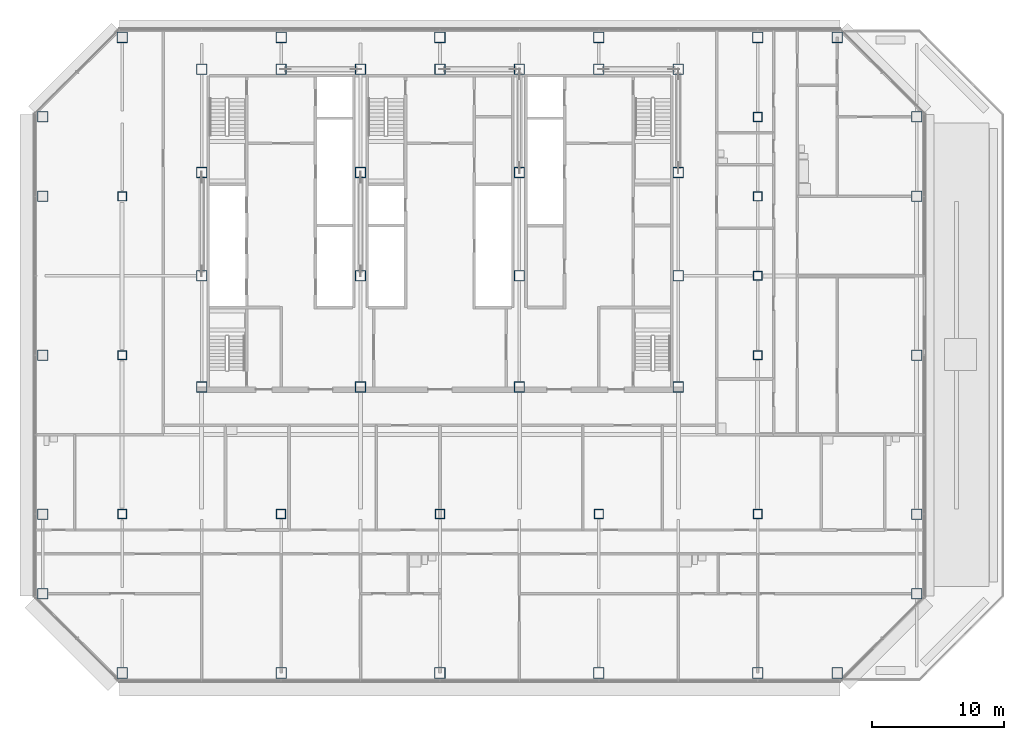
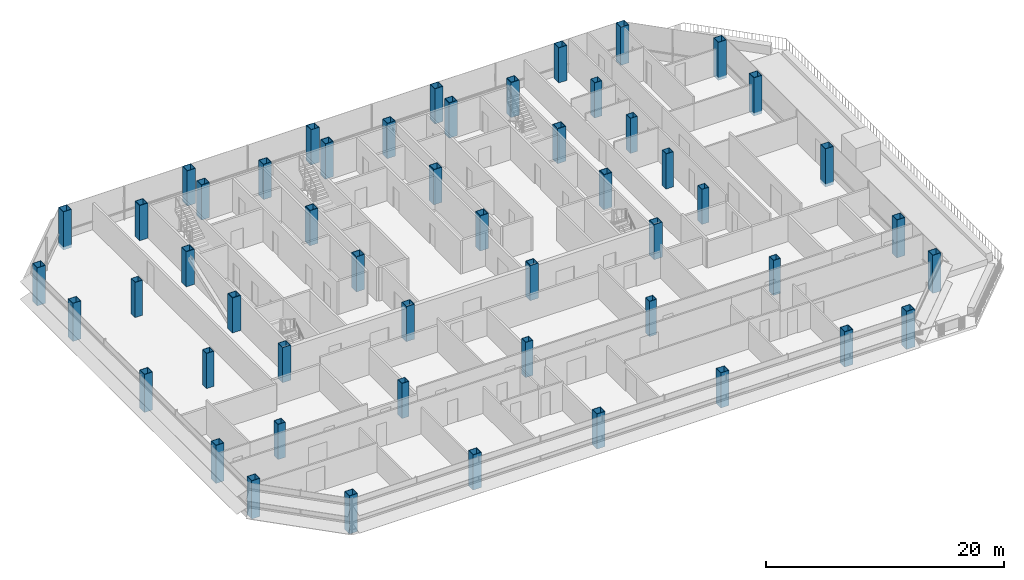
# One storey, part 1 of 28: 52 columns.
"""IFC4 building model written with IfcOpenShell, lengths in metres."""

from ifc_helpers import new_model, si_unit, direction, frame, origin, origin_2d, place, context, subcontext, project, spatial, hollow_rectangle, extrude, material, material_profile, profile_set, type_object, element, save


model = new_model("IFC4")

# Units and contexts
model_context = context("Model", 3, precision=1e-05, world=origin(), true_north=direction((0.0, 1.0)))
body_context = subcontext(model_context, "Body", "Model", "MODEL_VIEW")
ifc_project = project(units=[si_unit("LENGTHUNIT", "METRE"), si_unit("AREAUNIT", "SQUARE_METRE"), si_unit("VOLUMEUNIT", "CUBIC_METRE"), si_unit("PLANEANGLEUNIT", "RADIAN"), si_unit("MASSUNIT", "GRAM", prefix="KILO")], contexts=[model_context])

# Site, building, storey
site_placement = place(None, origin())
site = spatial("IfcSite", under=ifc_project, at=site_placement, CompositionType="ELEMENT")
building_placement = place(site_placement, origin())
building = spatial("IfcBuilding", under=site, at=building_placement, Name="Sorahane Residences", CompositionType="ELEMENT")
storey_placement = place(building_placement, frame((0.0, 0.0, 96.199951171875)))
storey = spatial("IfcBuildingStorey", under=building, at=storey_placement, Name="L20", CompositionType="ELEMENT", Elevation=96.199951171875)

# Columns
ifc_material_1 = material(Name="Steel Q355B", Category="steel")
ifc_material_profile_1 = material_profile(ifc_material_1, hollow_rectangle(XDim=0.699951171875, YDim=0.699951171875, WallThickness=0.035888671875, at=origin_2d()), Name="BOX 700x700x36")
ifc_profile_set_1 = profile_set([ifc_material_profile_1], Name="Steel Q355B")
column_type_1 = type_object("IfcColumnType", Name="Steel box column BOX 700x700x36 Q355B", PredefinedType="COLUMN", material=ifc_profile_set_1)
for number, where, z_axis, x_axis, name in (
    (1, (0.0, 12.0, 0.0), (0.0, 0.0, 1.0), (1.0, 0.0, 0.0), "Column L20 0/12"),
    (2, (0.0, 24.0, 0.0), (0.0, 0.0, 1.0), (1.0, 0.0, 0.0), "Column L20 0/24"),
    (3, (0.0, 36.0, 0.0), (0.0, 0.0, 1.0), (1.0, 0.0, 0.0), "Column L20 0/36"),
    (4, (12.0, 12.0, 0.0), (0.0, 0.0, 1.0), (1.0, 0.0, 0.0), "Column L20 12/12"),
    (5, (24.0, 12.0, 0.0), (0.0, 0.0, 1.0), (1.0, 0.0, 0.0), "Column L20 24/12"),
    (6, (36.0, 12.0, 0.0), (0.0, 0.0, 1.0), (1.0, 0.0, 0.0), "Column L20 36/12"),
    (7, (48.0, 12.0, 0.0), (0.0, 0.0, 1.0), (1.0, 0.0, 0.0), "Column L20 48/12"),
    (8, (48.0, 24.0, 0.0), (0.0, 0.0, 1.0), (1.0, 0.0, 0.0), "Column L20 48/24"),
    (9, (48.0, 30.0, 0.0), (0.0, 0.0, 1.0), (1.0, 0.0, 0.0), "Column L20 48/30"),
    (10, (48.0, 36.0, 0.0), (0.0, 0.0, 1.0), (1.0, 0.0, 0.0), "Column L20 48/36"),
    (11, (48.0, 42.0, 0.0), (0.0, 0.0, 1.0), (1.0, 0.0, 0.0), "Column L20 48/42"),
):
    element("IfcColumn", number, at=place(storey_placement, frame(where, z_axis=z_axis, x_axis=x_axis)), inside=storey, type_object=column_type_1, Name=name, PredefinedType="COLUMN", context=body_context, shape_type="SweptSolid", body=[
        extrude(hollow_rectangle(XDim=0.699951171875, YDim=0.699951171875, WallThickness=0.035888671875, at=origin_2d()), origin(), (0.0, 0.0, 1.0), 3.60009765625),
    ])
ifc_material_2 = material(Name="Steel Q355B", Category="steel")
ifc_material_profile_2 = material_profile(ifc_material_2, hollow_rectangle(XDim=0.800048828125, YDim=0.800048828125, WallThickness=0.0400390625, at=origin_2d()), Name="BOX 800x800x40")
ifc_profile_set_2 = profile_set([ifc_material_profile_2], Name="Steel Q355B")
column_type_2 = type_object("IfcColumnType", Name="Steel box column BOX 800x800x40 Q355B", PredefinedType="COLUMN", material=ifc_profile_set_2)
for number, where, z_axis, x_axis, name in (
    (12, (-6.0, 6.0, -0.300048828125), (0.0, 0.0, 1.0), (1.0, 0.0, 0.0), "Column L20 m6/6"),
    (13, (-6.0, 12.0, -0.300048828125), (0.0, 0.0, 1.0), (1.0, 0.0, 0.0), "Column L20 m6/12"),
    (14, (-6.0, 24.0, -0.300048828125), (0.0, 0.0, 1.0), (1.0, 0.0, 0.0), "Column L20 m6/24"),
    (15, (-6.0, 36.0, -0.300048828125), (0.0, 0.0, 1.0), (1.0, 0.0, 0.0), "Column L20 m6/36"),
    (16, (-6.0, 42.0, -0.300048828125), (0.0, 0.0, 1.0), (1.0, 0.0, 0.0), "Column L20 m6/42"),
    (17, (0.0, 0.0, -0.300048828125), (0.0, 0.0, 1.0), (1.0, 0.0, 0.0), "Column L20 0/0"),
    (18, (0.0, 48.0, -0.300048828125), (0.0, 0.0, 1.0), (1.0, 0.0, 0.0), "Column L20 0/48"),
):
    element("IfcColumn", number, at=place(storey_placement, frame(where, z_axis=z_axis, x_axis=x_axis)), inside=storey, type_object=column_type_2, Name=name, PredefinedType="COLUMN", context=body_context, shape_type="SweptSolid", body=[
        extrude(hollow_rectangle(XDim=0.800048828125, YDim=0.800048828125, WallThickness=0.0400390625, at=origin_2d()), origin(), (0.0, 0.0, 1.0), 3.900146484375),
    ])
for number, where, z_axis, x_axis, name in (
    (19, (12.0, 0.0, 0.0), (0.0, 0.0, 1.0), (1.0, 0.0, 0.0), "Column L20 12/0"),
    (20, (12.0, 48.0, 0.0), (0.0, 0.0, 1.0), (1.0, 0.0, 0.0), "Column L20 12/48"),
    (21, (24.0, 0.0, 0.0), (0.0, 0.0, 1.0), (1.0, 0.0, 0.0), "Column L20 24/0"),
    (22, (24.0, 48.0, 0.0), (0.0, 0.0, 1.0), (1.0, 0.0, 0.0), "Column L20 24/48"),
    (23, (36.0, 0.0, 0.0), (0.0, 0.0, 1.0), (1.0, 0.0, 0.0), "Column L20 36/0"),
    (24, (36.0, 48.0, 0.0), (0.0, 0.0, 1.0), (1.0, 0.0, 0.0), "Column L20 36/48"),
    (25, (48.0, 0.0, 0.0), (0.0, 0.0, 1.0), (1.0, 0.0, 0.0), "Column L20 48/0"),
    (26, (48.0, 48.0, 0.0), (0.0, 0.0, 1.0), (1.0, 0.0, 0.0), "Column L20 48/48"),
):
    element("IfcColumn", number, at=place(storey_placement, frame(where, z_axis=z_axis, x_axis=x_axis)), inside=storey, type_object=column_type_2, Name=name, PredefinedType="COLUMN", context=body_context, shape_type="SweptSolid", body=[
        extrude(hollow_rectangle(XDim=0.800048828125, YDim=0.800048828125, WallThickness=0.0400390625, at=origin_2d()), origin(), (0.0, 0.0, 1.0), 3.60009765625),
    ])
for number, where, z_axis, x_axis, name in (
    (27, (54.0, 0.0, -0.300048828125), (0.0, 0.0, 1.0), (1.0, 0.0, 0.0), "Column L20 54/0"),
    (28, (54.0, 48.0, -0.300048828125), (0.0, 0.0, 1.0), (1.0, 0.0, 0.0), "Column L20 54/48"),
    (29, (60.0, 6.0, -0.300048828125), (0.0, 0.0, 1.0), (1.0, 0.0, 0.0), "Column L20 60/6"),
    (30, (60.0, 12.0, -0.300048828125), (0.0, 0.0, 1.0), (1.0, 0.0, 0.0), "Column L20 60/12"),
    (31, (60.0, 24.0, -0.300048828125), (0.0, 0.0, 1.0), (1.0, 0.0, 0.0), "Column L20 60/24"),
    (32, (60.0, 36.0, -0.300048828125), (0.0, 0.0, 1.0), (1.0, 0.0, 0.0), "Column L20 60/36"),
    (33, (60.0, 42.0, -0.300048828125), (0.0, 0.0, 1.0), (1.0, 0.0, 0.0), "Column L20 60/42"),
):
    element("IfcColumn", number, at=place(storey_placement, frame(where, z_axis=z_axis, x_axis=x_axis)), inside=storey, type_object=column_type_2, Name=name, PredefinedType="COLUMN", context=body_context, shape_type="SweptSolid", body=[
        extrude(hollow_rectangle(XDim=0.800048828125, YDim=0.800048828125, WallThickness=0.0400390625, at=origin_2d()), origin(), (0.0, 0.0, 1.0), 3.900146484375),
    ])
ifc_material_3 = material(Name="Steel Q420GJ", Category="steel")
ifc_material_profile_3 = material_profile(ifc_material_3, hollow_rectangle(XDim=0.800048828125, YDim=0.800048828125, WallThickness=0.050048828125, at=origin_2d()), Name="BOX 800x800x50")
ifc_profile_set_3 = profile_set([ifc_material_profile_3], Name="Steel Q420GJ")
column_type_3 = type_object("IfcColumnType", Name="Steel box column BOX 800x800x50 Q420GJ", PredefinedType="COLUMN", material=ifc_profile_set_3)
for number, where, z_axis, x_axis, name in (
    (34, (6.0, 21.60009765625, 0.0), (0.0, 0.0, 1.0), (1.0, 0.0, 0.0), "Column L20 6/21.6"),
    (35, (6.0, 30.0, 0.0), (0.0, 0.0, 1.0), (1.0, 0.0, 0.0), "Column L20 6/30"),
    (36, (6.0, 37.800048828125, 0.0), (0.0, 0.0, 1.0), (1.0, 0.0, 0.0), "Column L20 6/37.8"),
    (37, (6.0, 45.60009765625, 0.0), (0.0, 0.0, 1.0), (1.0, 0.0, 0.0), "Column L20 6/45.6"),
    (38, (12.0, 45.60009765625, 0.0), (0.0, 0.0, 1.0), (1.0, 0.0, 0.0), "Column L20 12/45.6"),
    (39, (18.0, 21.60009765625, 0.0), (0.0, 0.0, 1.0), (1.0, 0.0, 0.0), "Column L20 18/21.6"),
    (40, (18.0, 30.0, 0.0), (0.0, 0.0, 1.0), (1.0, 0.0, 0.0), "Column L20 18/30"),
    (41, (18.0, 37.800048828125, 0.0), (0.0, 0.0, 1.0), (1.0, 0.0, 0.0), "Column L20 18/37.8"),
    (42, (18.0, 45.60009765625, 0.0), (0.0, 0.0, 1.0), (1.0, 0.0, 0.0), "Column L20 18/45.6"),
    (43, (24.0, 45.60009765625, 0.0), (0.0, 0.0, 1.0), (1.0, 0.0, 0.0), "Column L20 24/45.6"),
    (44, (30.0, 21.60009765625, 0.0), (0.0, 0.0, 1.0), (1.0, 0.0, 0.0), "Column L20 30/21.6"),
    (45, (30.0, 30.0, 0.0), (0.0, 0.0, 1.0), (1.0, 0.0, 0.0), "Column L20 30/30"),
    (46, (30.0, 37.800048828125, 0.0), (0.0, 0.0, 1.0), (1.0, 0.0, 0.0), "Column L20 30/37.8"),
    (47, (30.0, 45.60009765625, 0.0), (0.0, 0.0, 1.0), (1.0, 0.0, 0.0), "Column L20 30/45.6"),
    (48, (36.0, 45.60009765625, 0.0), (0.0, 0.0, 1.0), (1.0, 0.0, 0.0), "Column L20 36/45.6"),
    (49, (42.0, 21.60009765625, 0.0), (0.0, 0.0, 1.0), (1.0, 0.0, 0.0), "Column L20 42/21.6"),
    (50, (42.0, 30.0, 0.0), (0.0, 0.0, 1.0), (1.0, 0.0, 0.0), "Column L20 42/30"),
    (51, (42.0, 37.800048828125, 0.0), (0.0, 0.0, 1.0), (1.0, 0.0, 0.0), "Column L20 42/37.8"),
    (52, (42.0, 45.60009765625, 0.0), (0.0, 0.0, 1.0), (1.0, 0.0, 0.0), "Column L20 42/45.6"),
):
    element("IfcColumn", number, at=place(storey_placement, frame(where, z_axis=z_axis, x_axis=x_axis)), inside=storey, type_object=column_type_3, Name=name, PredefinedType="COLUMN", context=body_context, shape_type="SweptSolid", body=[
        extrude(hollow_rectangle(XDim=0.800048828125, YDim=0.800048828125, WallThickness=0.050048828125, at=origin_2d()), origin(), (0.0, 0.0, 1.0), 3.60009765625),
    ])

save(model, "model.ifc")
